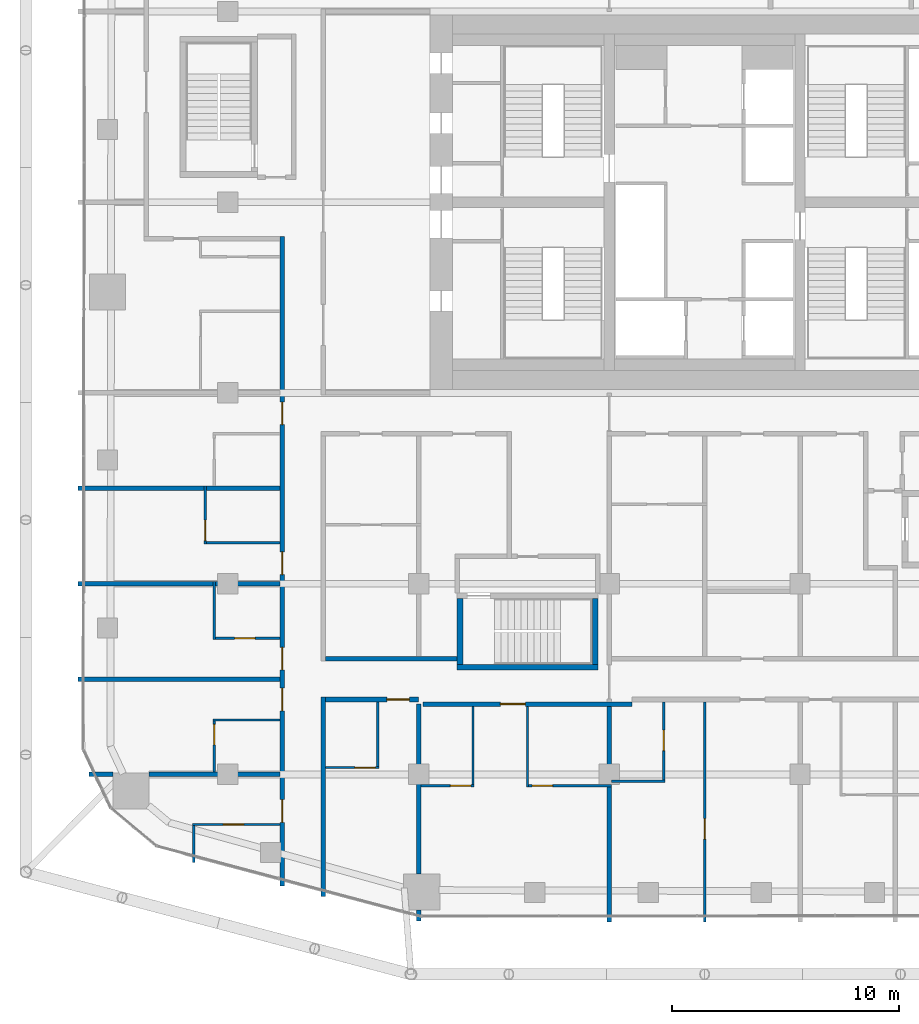
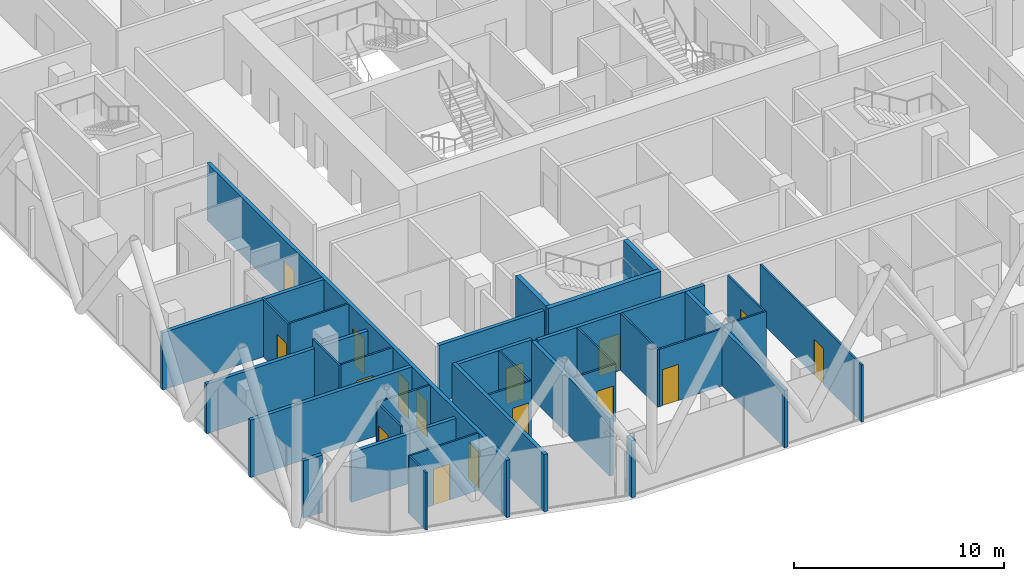
# One storey, part 24 of 33: 33 walls, 16 doors, 16 openings.
"""IFC4 building model written with IfcOpenShell, lengths in metres."""

from ifc_helpers import new_model, si_unit, direction, frame, frame_2d, origin, place, context, subcontext, project, spatial, rectangle, extrude, material, layer, layer_set, type_object, element, fill, save


model = new_model("IFC4")

# Units and contexts
model_context = context("Model", 3, precision=1e-05, world=origin(), true_north=direction((0.0, 1.0)))
body_context = subcontext(model_context, "Body", "Model", "MODEL_VIEW")
ifc_project = project(units=[si_unit("LENGTHUNIT", "METRE"), si_unit("AREAUNIT", "SQUARE_METRE"), si_unit("VOLUMEUNIT", "CUBIC_METRE"), si_unit("PLANEANGLEUNIT", "RADIAN"), si_unit("MASSUNIT", "GRAM", prefix="KILO")], contexts=[model_context])

# Site, building, storey
site_placement = place(None, origin())
site = spatial("IfcSite", under=ifc_project, at=site_placement, CompositionType="ELEMENT")
building_placement = place(site_placement, origin())
building = spatial("IfcBuilding", under=site, at=building_placement, Name="Marenta Gate Hotel Tower", CompositionType="ELEMENT")
storey_placement = place(building_placement, frame((0.0, 0.0, 151.699951171875)))
storey = spatial("IfcBuildingStorey", under=building, at=storey_placement, Name="L35", CompositionType="ELEMENT", Elevation=151.699951171875)

# Walls
ifc_material_1 = material(Name="Concrete blockwork", Category="masonry")
ifc_layer_1 = layer(ifc_material_1, 0.199951171875)
ifc_layer_set_1 = layer_set([ifc_layer_1], Name="Concrete blockwork")
wall_type_1 = type_object("IfcWallType", Name="Compartment wall 200 REI 180", PredefinedType="PARTITIONING", material=ifc_layer_set_1)
wall_1_placement = place(storey_placement, frame((-4.199951171875, -23.300048828125, 0.0), z_axis=(0.0, 0.0, 1.0), x_axis=(0.0, 1.0, 0.0)))
element("IfcWall", 1, at=wall_1_placement, inside=storey, type_object=wall_type_1, Name="L35-PTN-W073", PredefinedType="PARTITIONING", context=body_context, shape_type="SweptSolid", body=[
    extrude(rectangle(XDim=9.5, YDim=0.199951171875, at=frame_2d((4.75, 0.0))), origin(), (0.0, 0.0, 1.0), 3.340087890625),
])
ifc_material_2 = material(Name="Concrete C40", Category="concrete")
ifc_layer_2 = layer(ifc_material_2, 0.25)
ifc_layer_set_2 = layer_set([ifc_layer_2], Name="Concrete C40")
wall_type_2 = type_object("IfcWallType", Name="Remote stair enclosure wall 250 REI 180", PredefinedType="SHEAR", material=ifc_layer_set_2)
wall_2_placement = place(storey_placement, frame((-10.89990234375, -12.074951171875, 0.10009765625), z_axis=(0.0, 0.0, 1.0), x_axis=(1.0, 0.0, 0.0)))
element("IfcWall", 2, at=wall_2_placement, inside=storey, type_object=wall_type_2, Name="L35-RS-Z2-1-W1", PredefinedType="SHEAR", context=body_context, shape_type="SweptSolid", body=[
    extrude(rectangle(XDim=6.199951171875, YDim=0.25, at=frame_2d((3.10009765625, 0.0))), origin(), (0.0, 0.0, 1.0), 3.599853515625),
])
for number, where, z_axis, x_axis, name in (
    (3, (-10.77490234375, -11.949951171875, 0.10009765625), (0.0, 0.0, 1.0), (0.0, 1.0, 0.0), "L35-RS-Z2-1-W3"),
    (4, (-4.824951171875, -11.949951171875, 0.10009765625), (0.0, 0.0, 1.0), (0.0, 1.0, 0.0), "L35-RS-Z2-1-W4"),
):
    element("IfcWall", number, at=place(storey_placement, frame(where, z_axis=z_axis, x_axis=x_axis)), inside=storey, type_object=wall_type_2, Name=name, PredefinedType="SHEAR", context=body_context, shape_type="SweptSolid", body=[
        extrude(rectangle(XDim=2.89990234375, YDim=0.25, at=frame_2d((1.449951171875, 0.0))), origin(), (0.0, 0.0, 1.0), 3.599853515625),
    ])

# Wall, opening, door
ifc_material_3 = material(Name="Gypsum board on steel stud", Category="steel")
ifc_layer_3 = layer(ifc_material_3, 0.199951171875)
ifc_layer_set_3 = layer_set([ifc_layer_3], Name="Gypsum board on steel stud")
wall_type_3 = type_object("IfcWallType", Name="Room corridor wall 200 EI 60", PredefinedType="PARTITIONING", material=ifc_layer_set_3)
wall_3_placement = place(storey_placement, frame((-12.39990234375, -13.699951171875, 0.0), z_axis=(0.0, 0.0, 1.0), x_axis=(1.0, 0.0, 0.0)))
wall_3 = element("IfcWall", 5, at=wall_3_placement, inside=storey, type_object=wall_type_3, Name="L35-PTN-W024", PredefinedType="PARTITIONING", context=body_context, shape_type="SweptSolid", body=[
    extrude(rectangle(XDim=9.199951171875, YDim=0.199951171875, at=frame_2d((4.60009765625, 0.0))), origin(), (0.0, 0.0, 1.0), 3.340087890625),
])
opening_1_placement = place(wall_3_placement, frame((3.39990234375, 0.0, 0.0)))
opening_1 = element("IfcOpeningElement", 6, at=opening_1_placement, cuts=wall_3, Name="Opening G13-31", PredefinedType="OPENING", context=body_context, shape_type="SweptSolid", body=[
    extrude(rectangle(XDim=1.10009765625, YDim=2.10009765625, at=frame_2d((0.550048828125, 1.050048828125))), frame((0.0, 0.10009765625, 0.0), z_axis=(0.0, -1.0, 0.0), x_axis=(1.0, 0.0, 0.0)), (0.0, 0.0, 1.0), 0.199951171875),
])
ifc_material_4 = material(Name="Timber door leaf", Category="wood")
door_type_1 = type_object("IfcDoorType", Name="Guest room door 1100x2100 EI 30", OperationType="NOTDEFINED", PredefinedType="DOOR", material=ifc_material_4)
door_1_placement = place(opening_1_placement, origin())
door_1 = element("IfcDoor", 7, at=door_1_placement, inside=storey, type_object=door_type_1, Name="L35-PD-D031", OperationType="SINGLE_SWING_LEFT", OverallHeight=2.10009765625, OverallWidth=1.10009765625, PredefinedType="DOOR", context=body_context, shape_type="SweptSolid", body=[
    extrude(rectangle(XDim=1.10009765625, YDim=2.10009765625, at=frame_2d((0.550048828125, 1.050048828125))), frame((0.0, 0.02490234375, 0.0), z_axis=(0.0, -1.0, 0.0), x_axis=(1.0, 0.0, 0.0)), (0.0, 0.0, 1.0), 0.050048828125),
])
fill(opening_1, door_1)

wall_4_placement = place(storey_placement, frame((-16.699951171875, -13.5, 0.0), z_axis=(0.0, 0.0, 1.0), x_axis=(1.0, 0.0, 0.0)))
wall_4 = element("IfcWall", 8, at=wall_4_placement, inside=storey, type_object=wall_type_3, Name="L35-PTN-W025", PredefinedType="PARTITIONING", context=body_context, shape_type="SweptSolid", body=[
    extrude(rectangle(XDim=4.099853515625, YDim=0.199951171875, at=frame_2d((2.0498046875, 0.0))), origin(), (0.0, 0.0, 1.0), 3.340087890625),
])
opening_2_placement = place(wall_4_placement, frame((2.699951171875, 0.0, 0.0)))
opening_2 = element("IfcOpeningElement", 9, at=opening_2_placement, cuts=wall_4, Name="Opening G13-29", PredefinedType="OPENING", context=body_context, shape_type="SweptSolid", body=[
    extrude(rectangle(XDim=1.0, YDim=2.10009765625, at=frame_2d((0.5, 1.050048828125))), frame((0.0, 0.10009765625, 0.0), z_axis=(0.0, -1.0, 0.0), x_axis=(1.0, 0.0, 0.0)), (0.0, 0.0, 1.0), 0.199951171875),
])
ifc_material_5 = material(Name="Timber door leaf", Category="wood")
door_type_2 = type_object("IfcDoorType", Name="Guest room door 1000x2100 EI 30", OperationType="NOTDEFINED", PredefinedType="DOOR", material=ifc_material_5)
door_2_placement = place(opening_2_placement, origin())
door_2 = element("IfcDoor", 10, at=door_2_placement, inside=storey, type_object=door_type_2, Name="L35-PD-D029", OperationType="SINGLE_SWING_LEFT", OverallHeight=2.10009765625, OverallWidth=1.0, PredefinedType="DOOR", context=body_context, shape_type="SweptSolid", body=[
    extrude(rectangle(XDim=1.0, YDim=2.10009765625, at=frame_2d((0.5, 1.050048828125))), frame((0.0, 0.02490234375, 0.0), z_axis=(0.0, -1.0, 0.0), x_axis=(1.0, 0.0, 0.0)), (0.0, 0.0, 1.0), 0.050048828125),
])
fill(opening_2, door_2)

# Walls
wall_5_placement = place(storey_placement, frame((-16.699951171875, -11.699951171875, 0.0), z_axis=(0.0, 0.0, 1.0), x_axis=(1.0, 0.0, 0.0)))
element("IfcWall", 11, at=wall_5_placement, inside=storey, type_object=wall_type_3, Name="L35-PTN-W033", PredefinedType="PARTITIONING", context=body_context, shape_type="SweptSolid", body=[
    extrude(rectangle(XDim=5.800048828125, YDim=0.199951171875, at=frame_2d((2.89990234375, 0.0))), origin(), (0.0, 0.0, 1.0), 3.340087890625),
])
wall_6_placement = place(storey_placement, frame((-16.800048828125, -22.18603515625, 0.0), z_axis=(0.0, 0.0, 1.0), x_axis=(0.0, 1.0, 0.0)))
element("IfcWall", 12, at=wall_6_placement, inside=storey, type_object=wall_type_3, Name="L35-PTN-W094", PredefinedType="PARTITIONING", context=body_context, shape_type="SweptSolid", body=[
    extrude(rectangle(XDim=8.7861328125, YDim=0.199951171875, at=frame_2d((4.39306640625, 0.0))), origin(), (0.0, 0.0, 1.0), 3.340087890625),
])

# Wall, openings, doors
wall_7_placement = place(storey_placement, frame((-18.60009765625, -21.7080078125, 0.0), z_axis=(0.0, 0.0, 1.0), x_axis=(0.0, 1.0, 0.0)))
wall_7 = element("IfcWall", 13, at=wall_7_placement, inside=storey, type_object=wall_type_3, Name="L35-PTN-W101", PredefinedType="PARTITIONING", context=body_context, shape_type="SweptSolid", body=[
    extrude(rectangle(XDim=28.60791015625, YDim=0.199951171875, at=frame_2d((14.303955078125, 0.0))), origin(), (0.0, 0.0, 1.0), 3.340087890625),
])
opening_3_placement = place(wall_7_placement, frame((2.800048828125, 0.0, 0.0)))
opening_3 = element("IfcOpeningElement", 14, at=opening_3_placement, cuts=wall_7, Name="Opening G13-43", PredefinedType="OPENING", context=body_context, shape_type="SweptSolid", body=[
    extrude(rectangle(XDim=1.0, YDim=2.10009765625, at=frame_2d((0.5, 1.050048828125))), frame((0.0, 0.10009765625, 0.0), z_axis=(0.0, -1.0, 0.0), x_axis=(1.0, 0.0, 0.0)), (0.0, 0.0, 1.0), 0.199951171875),
])
opening_4_placement = place(wall_7_placement, frame((7.7080078125, 0.0, 0.0)))
opening_4 = element("IfcOpeningElement", 15, at=opening_4_placement, cuts=wall_7, Name="Opening G13-45", PredefinedType="OPENING", context=body_context, shape_type="SweptSolid", body=[
    extrude(rectangle(XDim=1.0, YDim=2.10009765625, at=frame_2d((0.5, 1.050048828125))), frame((0.0, 0.10009765625, 0.0), z_axis=(0.0, -1.0, 0.0), x_axis=(1.0, 0.0, 0.0)), (0.0, 0.0, 1.0), 0.199951171875),
])
opening_5_placement = place(wall_7_placement, frame((9.508056640625, 0.0, 0.0)))
opening_5 = element("IfcOpeningElement", 16, at=opening_5_placement, cuts=wall_7, Name="Opening G13-47", PredefinedType="OPENING", context=body_context, shape_type="SweptSolid", body=[
    extrude(rectangle(XDim=1.0, YDim=2.10009765625, at=frame_2d((0.5, 1.050048828125))), frame((0.0, 0.10009765625, 0.0), z_axis=(0.0, -1.0, 0.0), x_axis=(1.0, 0.0, 0.0)), (0.0, 0.0, 1.0), 0.199951171875),
])
opening_6_placement = place(wall_7_placement, frame((13.7080078125, 0.0, 0.0)))
opening_6 = element("IfcOpeningElement", 17, at=opening_6_placement, cuts=wall_7, Name="Opening G13-49", PredefinedType="OPENING", context=body_context, shape_type="SweptSolid", body=[
    extrude(rectangle(XDim=1.0, YDim=2.10009765625, at=frame_2d((0.5, 1.050048828125))), frame((0.0, 0.10009765625, 0.0), z_axis=(0.0, -1.0, 0.0), x_axis=(1.0, 0.0, 0.0)), (0.0, 0.0, 1.0), 0.199951171875),
])
opening_7_placement = place(wall_7_placement, frame((20.30810546875, 0.0, 0.0)))
opening_7 = element("IfcOpeningElement", 18, at=opening_7_placement, cuts=wall_7, Name="Opening G13-51", PredefinedType="OPENING", context=body_context, shape_type="SweptSolid", body=[
    extrude(rectangle(XDim=1.0, YDim=2.10009765625, at=frame_2d((0.5, 1.050048828125))), frame((0.0, 0.10009765625, 0.0), z_axis=(0.0, -1.0, 0.0), x_axis=(1.0, 0.0, 0.0)), (0.0, 0.0, 1.0), 0.199951171875),
])
door_3_placement = place(opening_3_placement, origin())
door_3 = element("IfcDoor", 19, at=door_3_placement, inside=storey, type_object=door_type_2, Name="L35-PD-D043", OperationType="SINGLE_SWING_LEFT", OverallHeight=2.10009765625, OverallWidth=1.0, PredefinedType="DOOR", context=body_context, shape_type="SweptSolid", body=[
    extrude(rectangle(XDim=1.0, YDim=2.10009765625, at=frame_2d((0.5, 1.050048828125))), frame((0.0, 0.02490234375, 0.0), z_axis=(0.0, -1.0, 0.0), x_axis=(1.0, 0.0, 0.0)), (0.0, 0.0, 1.0), 0.050048828125),
])
fill(opening_3, door_3)
door_4_placement = place(opening_4_placement, origin())
door_4 = element("IfcDoor", 20, at=door_4_placement, inside=storey, type_object=door_type_2, Name="L35-PD-D045", OperationType="SINGLE_SWING_RIGHT", OverallHeight=2.10009765625, OverallWidth=1.0, PredefinedType="DOOR", context=body_context, shape_type="SweptSolid", body=[
    extrude(rectangle(XDim=1.0, YDim=2.10009765625, at=frame_2d((0.5, 1.050048828125))), frame((0.0, 0.02490234375, 0.0), z_axis=(0.0, -1.0, 0.0), x_axis=(1.0, 0.0, 0.0)), (0.0, 0.0, 1.0), 0.050048828125),
])
fill(opening_4, door_4)
door_5_placement = place(opening_5_placement, origin())
door_5 = element("IfcDoor", 21, at=door_5_placement, inside=storey, type_object=door_type_2, Name="L35-PD-D047", OperationType="SINGLE_SWING_RIGHT", OverallHeight=2.10009765625, OverallWidth=1.0, PredefinedType="DOOR", context=body_context, shape_type="SweptSolid", body=[
    extrude(rectangle(XDim=1.0, YDim=2.10009765625, at=frame_2d((0.5, 1.050048828125))), frame((0.0, 0.02490234375, 0.0), z_axis=(0.0, -1.0, 0.0), x_axis=(1.0, 0.0, 0.0)), (0.0, 0.0, 1.0), 0.050048828125),
])
fill(opening_5, door_5)
door_6_placement = place(opening_6_placement, origin())
door_6 = element("IfcDoor", 22, at=door_6_placement, inside=storey, type_object=door_type_2, Name="L35-PD-D049", OperationType="SINGLE_SWING_RIGHT", OverallHeight=2.10009765625, OverallWidth=1.0, PredefinedType="DOOR", context=body_context, shape_type="SweptSolid", body=[
    extrude(rectangle(XDim=1.0, YDim=2.10009765625, at=frame_2d((0.5, 1.050048828125))), frame((0.0, 0.02490234375, 0.0), z_axis=(0.0, -1.0, 0.0), x_axis=(1.0, 0.0, 0.0)), (0.0, 0.0, 1.0), 0.050048828125),
])
fill(opening_6, door_6)
door_7_placement = place(opening_7_placement, origin())
door_7 = element("IfcDoor", 23, at=door_7_placement, inside=storey, type_object=door_type_2, Name="L35-PD-D051", OperationType="SINGLE_SWING_RIGHT", OverallHeight=2.10009765625, OverallWidth=1.0, PredefinedType="DOOR", context=body_context, shape_type="SweptSolid", body=[
    extrude(rectangle(XDim=1.0, YDim=2.10009765625, at=frame_2d((0.5, 1.050048828125))), frame((0.0, 0.02490234375, 0.0), z_axis=(0.0, -1.0, 0.0), x_axis=(1.0, 0.0, 0.0)), (0.0, 0.0, 1.0), 0.050048828125),
])
fill(opening_7, door_7)

# Wall, opening, door
ifc_material_6 = material(Name="Gypsum board on steel stud", Category="steel")
ifc_layer_4 = layer(ifc_material_6, 0.10009765625)
ifc_layer_set_4 = layer_set([ifc_layer_4], Name="Gypsum board on steel stud")
wall_type_4 = type_object("IfcWallType", Name="Room partition 100", PredefinedType="PARTITIONING", material=ifc_layer_set_4)
wall_8_placement = place(storey_placement, frame((-22.550048828125, -19.008056640625, 0.0), z_axis=(0.0, 0.0, 1.0), x_axis=(1.0, 0.0, 0.0)))
wall_8 = element("IfcWall", 24, at=wall_8_placement, inside=storey, type_object=wall_type_4, Name="L35-PTN-W007", PredefinedType="PARTITIONING", context=body_context, shape_type="SweptSolid", body=[
    extrude(rectangle(XDim=3.85009765625, YDim=0.10009765625, at=frame_2d((1.925048828125, 0.0))), origin(), (0.0, 0.0, 1.0), 3.340087890625),
])
opening_8_placement = place(wall_8_placement, frame((1.35498046875, 0.0, 0.0)))
opening_8 = element("IfcOpeningElement", 25, at=opening_8_placement, cuts=wall_8, Name="Opening G13-44", PredefinedType="OPENING", context=body_context, shape_type="SweptSolid", body=[
    extrude(rectangle(XDim=0.89990234375, YDim=2.10009765625, at=frame_2d((0.449951171875, 1.050048828125))), frame((0.0, 0.050048828125, 0.0), z_axis=(0.0, -1.0, 0.0), x_axis=(1.0, 0.0, 0.0)), (0.0, 0.0, 1.0), 0.10009765625),
])
ifc_material_7 = material(Name="Timber door leaf", Category="wood")
door_type_3 = type_object("IfcDoorType", Name="Guest bathroom door 900x2100", OperationType="NOTDEFINED", PredefinedType="DOOR", material=ifc_material_7)
door_8_placement = place(opening_8_placement, origin())
door_8 = element("IfcDoor", 26, at=door_8_placement, inside=storey, type_object=door_type_3, Name="L35-PD-D044", OperationType="SINGLE_SWING_LEFT", OverallHeight=2.10009765625, OverallWidth=0.89990234375, PredefinedType="DOOR", context=body_context, shape_type="SweptSolid", body=[
    extrude(rectangle(XDim=0.89990234375, YDim=2.10009765625, at=frame_2d((0.449951171875, 1.050048828125))), frame((0.0, 0.02490234375, 0.0), z_axis=(0.0, -1.0, 0.0), x_axis=(1.0, 0.0, 0.0)), (0.0, 0.0, 1.0), 0.050048828125),
])
fill(opening_8, door_8)

wall_9_placement = place(storey_placement, frame((-12.5, -17.300048828125, 0.0), z_axis=(0.0, 0.0, 1.0), x_axis=(1.0, 0.0, 0.0)))
wall_9 = element("IfcWall", 27, at=wall_9_placement, inside=storey, type_object=wall_type_4, Name="L35-PTN-W011", PredefinedType="PARTITIONING", context=body_context, shape_type="SweptSolid", body=[
    extrude(rectangle(XDim=2.35009765625, YDim=0.10009765625, at=frame_2d((1.175048828125, 0.0))), origin(), (0.0, 0.0, 1.0), 3.340087890625),
])
opening_9_placement = place(wall_9_placement, frame((1.300048828125, 0.0, 0.0)))
opening_9 = element("IfcOpeningElement", 28, at=opening_9_placement, cuts=wall_9, Name="Opening G13-33", PredefinedType="OPENING", context=body_context, shape_type="SweptSolid", body=[
    extrude(rectangle(XDim=0.89990234375, YDim=2.10009765625, at=frame_2d((0.449951171875, 1.050048828125))), frame((0.0, 0.050048828125, 0.0), z_axis=(0.0, -1.0, 0.0), x_axis=(1.0, 0.0, 0.0)), (0.0, 0.0, 1.0), 0.10009765625),
])
ifc_material_8 = material(Name="Timber door leaf", Category="wood")
door_type_4 = type_object("IfcDoorType", Name="Room inner door 900x2100", OperationType="NOTDEFINED", PredefinedType="DOOR", material=ifc_material_8)
door_9_placement = place(opening_9_placement, origin())
door_9 = element("IfcDoor", 29, at=door_9_placement, inside=storey, type_object=door_type_4, Name="L35-PD-D033", OperationType="SINGLE_SWING_RIGHT", OverallHeight=2.10009765625, OverallWidth=0.89990234375, PredefinedType="DOOR", context=body_context, shape_type="SweptSolid", body=[
    extrude(rectangle(XDim=0.89990234375, YDim=2.10009765625, at=frame_2d((0.449951171875, 1.050048828125))), frame((0.0, 0.02490234375, 0.0), z_axis=(0.0, -1.0, 0.0), x_axis=(1.0, 0.0, 0.0)), (0.0, 0.0, 1.0), 0.050048828125),
])
fill(opening_9, door_9)

wall_10_placement = place(storey_placement, frame((-7.75, -17.300048828125, 0.0), z_axis=(0.0, 0.0, 1.0), x_axis=(1.0, 0.0, 0.0)))
wall_10 = element("IfcWall", 30, at=wall_10_placement, inside=storey, type_object=wall_type_4, Name="L35-PTN-W012", PredefinedType="PARTITIONING", context=body_context, shape_type="SweptSolid", body=[
    extrude(rectangle(XDim=3.64990234375, YDim=0.10009765625, at=frame_2d((1.824951171875, 0.0))), origin(), (0.0, 0.0, 1.0), 3.340087890625),
])
opening_10_placement = place(wall_10_placement, frame((0.14990234375, 0.0, 0.0)))
opening_10 = element("IfcOpeningElement", 31, at=opening_10_placement, cuts=wall_10, Name="Opening G13-32", PredefinedType="OPENING", context=body_context, shape_type="SweptSolid", body=[
    extrude(rectangle(XDim=0.89990234375, YDim=2.10009765625, at=frame_2d((0.449951171875, 1.050048828125))), frame((0.0, 0.050048828125, 0.0), z_axis=(0.0, -1.0, 0.0), x_axis=(1.0, 0.0, 0.0)), (0.0, 0.0, 1.0), 0.10009765625),
])
door_10_placement = place(opening_10_placement, origin())
door_10 = element("IfcDoor", 32, at=door_10_placement, inside=storey, type_object=door_type_3, Name="L35-PD-D032", OperationType="SINGLE_SWING_LEFT", OverallHeight=2.10009765625, OverallWidth=0.89990234375, PredefinedType="DOOR", context=body_context, shape_type="SweptSolid", body=[
    extrude(rectangle(XDim=0.89990234375, YDim=2.10009765625, at=frame_2d((0.449951171875, 1.050048828125))), frame((0.0, 0.02490234375, 0.0), z_axis=(0.0, -1.0, 0.0), x_axis=(1.0, 0.0, 0.0)), (0.0, 0.0, 1.0), 0.050048828125),
])
fill(opening_10, door_10)

# Wall
wall_11_placement = place(storey_placement, frame((-4.10009765625, -17.10009765625, 0.0), z_axis=(0.0, 0.0, 1.0), x_axis=(1.0, 0.0, 0.0)))
element("IfcWall", 33, at=wall_11_placement, inside=storey, type_object=wall_type_4, Name="L35-PTN-W013", PredefinedType="PARTITIONING", context=body_context, shape_type="SweptSolid", body=[
    extrude(rectangle(XDim=2.35009765625, YDim=0.10009765625, at=frame_2d((1.175048828125, 0.0))), origin(), (0.0, 0.0, 1.0), 3.340087890625),
])

# Wall, opening, door
wall_12_placement = place(storey_placement, frame((-16.699951171875, -16.5, 0.0), z_axis=(0.0, 0.0, 1.0), x_axis=(1.0, 0.0, 0.0)))
wall_12 = element("IfcWall", 34, at=wall_12_placement, inside=storey, type_object=wall_type_4, Name="L35-PTN-W020", PredefinedType="PARTITIONING", context=body_context, shape_type="SweptSolid", body=[
    extrude(rectangle(XDim=2.349853515625, YDim=0.10009765625, at=frame_2d((1.1748046875, 0.0))), origin(), (0.0, 0.0, 1.0), 3.340087890625),
])
opening_11_placement = place(wall_12_placement, frame((1.300048828125, 0.0, 0.0)))
opening_11 = element("IfcOpeningElement", 35, at=opening_11_placement, cuts=wall_12, Name="Opening G13-30", PredefinedType="OPENING", context=body_context, shape_type="SweptSolid", body=[
    extrude(rectangle(XDim=0.89990234375, YDim=2.10009765625, at=frame_2d((0.449951171875, 1.050048828125))), frame((0.0, 0.050048828125, 0.0), z_axis=(0.0, -1.0, 0.0), x_axis=(1.0, 0.0, 0.0)), (0.0, 0.0, 1.0), 0.10009765625),
])
door_11_placement = place(opening_11_placement, origin())
door_11 = element("IfcDoor", 36, at=door_11_placement, inside=storey, type_object=door_type_3, Name="L35-PD-D030", OperationType="SINGLE_SWING_RIGHT", OverallHeight=2.10009765625, OverallWidth=0.89990234375, PredefinedType="DOOR", context=body_context, shape_type="SweptSolid", body=[
    extrude(rectangle(XDim=0.89990234375, YDim=2.10009765625, at=frame_2d((0.449951171875, 1.050048828125))), frame((0.0, 0.02490234375, 0.0), z_axis=(0.0, -1.0, 0.0), x_axis=(1.0, 0.0, 0.0)), (0.0, 0.0, 1.0), 0.050048828125),
])
fill(opening_11, door_11)

# Wall
wall_13_placement = place(storey_placement, frame((-21.64990234375, -14.39990234375, 0.0), z_axis=(0.0, 0.0, 1.0), x_axis=(1.0, 0.0, 0.0)))
element("IfcWall", 37, at=wall_13_placement, inside=storey, type_object=wall_type_4, Name="L35-PTN-W022", PredefinedType="PARTITIONING", context=body_context, shape_type="SweptSolid", body=[
    extrude(rectangle(XDim=2.949951171875, YDim=0.10009765625, at=frame_2d((1.47509765625, 0.0))), origin(), (0.0, 0.0, 1.0), 3.340087890625),
])

# Wall, opening, door
wall_14_placement = place(storey_placement, frame((-21.550048828125, -10.800048828125, 0.0), z_axis=(0.0, 0.0, 1.0), x_axis=(1.0, 0.0, 0.0)))
wall_14 = element("IfcWall", 38, at=wall_14_placement, inside=storey, type_object=wall_type_4, Name="L35-PTN-W036", PredefinedType="PARTITIONING", context=body_context, shape_type="SweptSolid", body=[
    extrude(rectangle(XDim=2.85009765625, YDim=0.10009765625, at=frame_2d((1.425048828125, 0.0))), origin(), (0.0, 0.0, 1.0), 3.340087890625),
])
opening_12_placement = place(wall_14_placement, frame((0.85009765625, 0.0, 0.0)))
opening_12 = element("IfcOpeningElement", 39, at=opening_12_placement, cuts=wall_14, Name="Opening G13-48", PredefinedType="OPENING", context=body_context, shape_type="SweptSolid", body=[
    extrude(rectangle(XDim=0.89990234375, YDim=2.10009765625, at=frame_2d((0.449951171875, 1.050048828125))), frame((0.0, 0.050048828125, 0.0), z_axis=(0.0, -1.0, 0.0), x_axis=(1.0, 0.0, 0.0)), (0.0, 0.0, 1.0), 0.10009765625),
])
door_12_placement = place(opening_12_placement, origin())
door_12 = element("IfcDoor", 40, at=door_12_placement, inside=storey, type_object=door_type_3, Name="L35-PD-D048", OperationType="SINGLE_SWING_LEFT", OverallHeight=2.10009765625, OverallWidth=0.89990234375, PredefinedType="DOOR", context=body_context, shape_type="SweptSolid", body=[
    extrude(rectangle(XDim=0.89990234375, YDim=2.10009765625, at=frame_2d((0.449951171875, 1.050048828125))), frame((0.0, 0.02490234375, 0.0), z_axis=(0.0, -1.0, 0.0), x_axis=(1.0, 0.0, 0.0)), (0.0, 0.0, 1.0), 0.050048828125),
])
fill(opening_12, door_12)

# Wall
wall_15_placement = place(storey_placement, frame((-21.949951171875, -6.60009765625, 0.0), z_axis=(0.0, 0.0, 1.0), x_axis=(1.0, 0.0, 0.0)))
element("IfcWall", 41, at=wall_15_placement, inside=storey, type_object=wall_type_4, Name="L35-PTN-W051", PredefinedType="PARTITIONING", context=body_context, shape_type="SweptSolid", body=[
    extrude(rectangle(XDim=3.25, YDim=0.10009765625, at=frame_2d((1.625, 0.0))), origin(), (0.0, 0.0, 1.0), 3.340087890625),
])

# Wall, opening, door
wall_16_placement = place(storey_placement, frame((0.0, -23.300048828125, 0.0), z_axis=(0.0, 0.0, 1.0), x_axis=(0.0, 1.0, 0.0)))
wall_16 = element("IfcWall", 42, at=wall_16_placement, inside=storey, type_object=wall_type_4, Name="L35-PTN-W066", PredefinedType="PARTITIONING", context=body_context, shape_type="SweptSolid", body=[
    extrude(rectangle(XDim=9.699951171875, YDim=0.10009765625, at=frame_2d((4.85009765625, 0.0))), origin(), (0.0, 0.0, 1.0), 3.340087890625),
])
opening_13_placement = place(wall_16_placement, frame((3.64990234375, 0.0, 0.0)))
opening_13 = element("IfcOpeningElement", 43, at=opening_13_placement, cuts=wall_16, Name="Opening G13-35", PredefinedType="OPENING", context=body_context, shape_type="SweptSolid", body=[
    extrude(rectangle(XDim=0.89990234375, YDim=2.10009765625, at=frame_2d((0.449951171875, 1.050048828125))), frame((0.0, 0.050048828125, 0.0), z_axis=(0.0, -1.0, 0.0), x_axis=(1.0, 0.0, 0.0)), (0.0, 0.0, 1.0), 0.10009765625),
])
door_13_placement = place(opening_13_placement, origin())
door_13 = element("IfcDoor", 44, at=door_13_placement, inside=storey, type_object=door_type_4, Name="L35-PD-D035", OperationType="SINGLE_SWING_RIGHT", OverallHeight=2.10009765625, OverallWidth=0.89990234375, PredefinedType="DOOR", context=body_context, shape_type="SweptSolid", body=[
    extrude(rectangle(XDim=0.89990234375, YDim=2.10009765625, at=frame_2d((0.449951171875, 1.050048828125))), frame((0.0, 0.02490234375, 0.0), z_axis=(0.0, -1.0, 0.0), x_axis=(1.0, 0.0, 0.0)), (0.0, 0.0, 1.0), 0.050048828125),
])
fill(opening_13, door_13)

wall_17_placement = place(storey_placement, frame((-1.800048828125, -17.050048828125, 0.0), z_axis=(0.0, 0.0, 1.0), x_axis=(0.0, 1.0, 0.0)))
wall_17 = element("IfcWall", 45, at=wall_17_placement, inside=storey, type_object=wall_type_4, Name="L35-PTN-W070", PredefinedType="PARTITIONING", context=body_context, shape_type="SweptSolid", body=[
    extrude(rectangle(XDim=3.449951171875, YDim=0.10009765625, at=frame_2d((1.72509765625, 0.0))), origin(), (0.0, 0.0, 1.0), 3.340087890625),
])
opening_14_placement = place(wall_17_placement, frame((1.300048828125, 0.0, 0.0)))
opening_14 = element("IfcOpeningElement", 46, at=opening_14_placement, cuts=wall_17, Name="Opening G13-36", PredefinedType="OPENING", context=body_context, shape_type="SweptSolid", body=[
    extrude(rectangle(XDim=0.89990234375, YDim=2.10009765625, at=frame_2d((0.449951171875, 1.050048828125))), frame((0.0, 0.050048828125, 0.0), z_axis=(0.0, -1.0, 0.0), x_axis=(1.0, 0.0, 0.0)), (0.0, 0.0, 1.0), 0.10009765625),
])
door_14_placement = place(opening_14_placement, origin())
door_14 = element("IfcDoor", 47, at=door_14_placement, inside=storey, type_object=door_type_3, Name="L35-PD-D036", OperationType="SINGLE_SWING_LEFT", OverallHeight=2.10009765625, OverallWidth=0.89990234375, PredefinedType="DOOR", context=body_context, shape_type="SweptSolid", body=[
    extrude(rectangle(XDim=0.89990234375, YDim=2.10009765625, at=frame_2d((0.449951171875, 1.050048828125))), frame((0.0, 0.02490234375, 0.0), z_axis=(0.0, -1.0, 0.0), x_axis=(1.0, 0.0, 0.0)), (0.0, 0.0, 1.0), 0.050048828125),
])
fill(opening_14, door_14)

# Walls
wall_18_placement = place(storey_placement, frame((-7.800048828125, -17.35009765625, 0.0), z_axis=(0.0, 0.0, 1.0), x_axis=(0.0, 1.0, 0.0)))
element("IfcWall", 48, at=wall_18_placement, inside=storey, type_object=wall_type_4, Name="L35-PTN-W081", PredefinedType="PARTITIONING", context=body_context, shape_type="SweptSolid", body=[
    extrude(rectangle(XDim=3.550048828125, YDim=0.10009765625, at=frame_2d((1.77490234375, 0.0))), origin(), (0.0, 0.0, 1.0), 3.340087890625),
])
wall_19_placement = place(storey_placement, frame((-10.199951171875, -17.25, 0.0), z_axis=(0.0, 0.0, 1.0), x_axis=(0.0, 1.0, 0.0)))
element("IfcWall", 49, at=wall_19_placement, inside=storey, type_object=wall_type_4, Name="L35-PTN-W086", PredefinedType="PARTITIONING", context=body_context, shape_type="SweptSolid", body=[
    extrude(rectangle(XDim=3.449951171875, YDim=0.10009765625, at=frame_2d((1.72509765625, 0.0))), origin(), (0.0, 0.0, 1.0), 3.340087890625),
])
wall_20_placement = place(storey_placement, frame((-14.39990234375, -16.449951171875, 0.0), z_axis=(0.0, 0.0, 1.0), x_axis=(0.0, 1.0, 0.0)))
element("IfcWall", 50, at=wall_20_placement, inside=storey, type_object=wall_type_4, Name="L35-PTN-W091", PredefinedType="PARTITIONING", context=body_context, shape_type="SweptSolid", body=[
    extrude(rectangle(XDim=2.849853515625, YDim=0.10009765625, at=frame_2d((1.4248046875, 0.0))), origin(), (0.0, 0.0, 1.0), 3.340087890625),
])

# Wall, opening, door
wall_21_placement = place(storey_placement, frame((-21.60009765625, -16.699951171875, 0.0), z_axis=(0.0, 0.0, 1.0), x_axis=(0.0, 1.0, 0.0)))
wall_21 = element("IfcWall", 51, at=wall_21_placement, inside=storey, type_object=wall_type_4, Name="L35-PTN-W107", PredefinedType="PARTITIONING", context=body_context, shape_type="SweptSolid", body=[
    extrude(rectangle(XDim=2.25, YDim=0.10009765625, at=frame_2d((1.125, 0.0))), origin(), (0.0, 0.0, 1.0), 3.340087890625),
])
opening_15_placement = place(wall_21_placement, frame((1.199951171875, 0.0, 0.0)))
opening_15 = element("IfcOpeningElement", 52, at=opening_15_placement, cuts=wall_21, Name="Opening G13-46", PredefinedType="OPENING", context=body_context, shape_type="SweptSolid", body=[
    extrude(rectangle(XDim=0.89990234375, YDim=2.10009765625, at=frame_2d((0.449951171875, 1.050048828125))), frame((0.0, 0.050048828125, 0.0), z_axis=(0.0, -1.0, 0.0), x_axis=(1.0, 0.0, 0.0)), (0.0, 0.0, 1.0), 0.10009765625),
])
door_15_placement = place(opening_15_placement, origin())
door_15 = element("IfcDoor", 53, at=door_15_placement, inside=storey, type_object=door_type_3, Name="L35-PD-D046", OperationType="SINGLE_SWING_LEFT", OverallHeight=2.10009765625, OverallWidth=0.89990234375, PredefinedType="DOOR", context=body_context, shape_type="SweptSolid", body=[
    extrude(rectangle(XDim=0.89990234375, YDim=2.10009765625, at=frame_2d((0.449951171875, 1.050048828125))), frame((0.0, 0.02490234375, 0.0), z_axis=(0.0, -1.0, 0.0), x_axis=(1.0, 0.0, 0.0)), (0.0, 0.0, 1.0), 0.050048828125),
])
fill(opening_15, door_15)

# Wall
wall_22_placement = place(storey_placement, frame((-21.60009765625, -10.85009765625, 0.0), z_axis=(0.0, 0.0, 1.0), x_axis=(0.0, 1.0, 0.0)))
element("IfcWall", 54, at=wall_22_placement, inside=storey, type_object=wall_type_4, Name="L35-PTN-W108", PredefinedType="PARTITIONING", context=body_context, shape_type="SweptSolid", body=[
    extrude(rectangle(XDim=2.550048828125, YDim=0.10009765625, at=frame_2d((1.27490234375, 0.0))), origin(), (0.0, 0.0, 1.0), 3.340087890625),
])

# Wall, opening, door
wall_23_placement = place(storey_placement, frame((-22.0, -6.64990234375, 0.0), z_axis=(0.0, 0.0, 1.0), x_axis=(0.0, 1.0, 0.0)))
wall_23 = element("IfcWall", 55, at=wall_23_placement, inside=storey, type_object=wall_type_4, Name="L35-PTN-W110", PredefinedType="PARTITIONING", context=body_context, shape_type="SweptSolid", body=[
    extrude(rectangle(XDim=2.5498046875, YDim=0.10009765625, at=frame_2d((1.27490234375, 0.0))), origin(), (0.0, 0.0, 1.0), 3.340087890625),
])
opening_16_placement = place(wall_23_placement, frame((0.14990234375, 0.0, 0.0)))
opening_16 = element("IfcOpeningElement", 56, at=opening_16_placement, cuts=wall_23, Name="Opening G13-50", PredefinedType="OPENING", context=body_context, shape_type="SweptSolid", body=[
    extrude(rectangle(XDim=0.89990234375, YDim=2.10009765625, at=frame_2d((0.449951171875, 1.050048828125))), frame((0.0, 0.050048828125, 0.0), z_axis=(0.0, -1.0, 0.0), x_axis=(1.0, 0.0, 0.0)), (0.0, 0.0, 1.0), 0.10009765625),
])
door_16_placement = place(opening_16_placement, origin())
door_16 = element("IfcDoor", 57, at=door_16_placement, inside=storey, type_object=door_type_3, Name="L35-PD-D050", OperationType="SINGLE_SWING_RIGHT", OverallHeight=2.10009765625, OverallWidth=0.89990234375, PredefinedType="DOOR", context=body_context, shape_type="SweptSolid", body=[
    extrude(rectangle(XDim=0.89990234375, YDim=2.10009765625, at=frame_2d((0.449951171875, 1.050048828125))), frame((0.0, 0.02490234375, 0.0), z_axis=(0.0, -1.0, 0.0), x_axis=(1.0, 0.0, 0.0)), (0.0, 0.0, 1.0), 0.050048828125),
])
fill(opening_16, door_16)

# Walls
wall_24_placement = place(storey_placement, frame((-22.5, -20.674072265625, 0.0), z_axis=(0.0, 0.0, 1.0), x_axis=(0.0, 1.0, 0.0)))
element("IfcWall", 58, at=wall_24_placement, inside=storey, type_object=wall_type_4, Name="L35-PTN-W115", PredefinedType="PARTITIONING", context=body_context, shape_type="SweptSolid", body=[
    extrude(rectangle(XDim=1.615966796875, YDim=0.10009765625, at=frame_2d((0.80810546875, 0.0))), origin(), (0.0, 0.0, 1.0), 3.340087890625),
])
ifc_material_9 = material(Name="Gypsum board on steel stud", Category="steel")
ifc_layer_5 = layer(ifc_material_9, 0.199951171875)
ifc_layer_set_5 = layer_set([ifc_layer_5], Name="Gypsum board on steel stud")
wall_type_5 = type_object("IfcWallType", Name="Room party wall 200 EI 60", PredefinedType="PARTITIONING", material=ifc_layer_set_5)
wall_25_placement = place(storey_placement, frame((-27.112060546875, -16.800048828125, 0.0), z_axis=(0.0, 0.0, 1.0), x_axis=(1.0, 0.0, 0.0)))
element("IfcWall", 59, at=wall_25_placement, inside=storey, type_object=wall_type_5, Name="L35-PTN-W018", PredefinedType="PARTITIONING", context=body_context, shape_type="SweptSolid", body=[
    extrude(rectangle(XDim=1.049072265625, YDim=0.199951171875, at=frame_2d((0.5244140625, 0.0))), origin(), (0.0, 0.0, 1.0), 3.340087890625),
])
wall_26_placement = place(storey_placement, frame((-24.462890625, -16.800048828125, 0.0), z_axis=(0.0, 0.0, 1.0), x_axis=(1.0, 0.0, 0.0)))
element("IfcWall", 60, at=wall_26_placement, inside=storey, type_object=wall_type_5, Name="L35-PTN-W120", PredefinedType="PARTITIONING", context=body_context, shape_type="SweptSolid", body=[
    extrude(rectangle(XDim=5.762939453125, YDim=0.199951171875, at=frame_2d((2.88134765625, 0.0))), origin(), (0.0, 0.0, 1.0), 2.89013671875),
])
wall_27_placement = place(storey_placement, frame((-27.60009765625, -12.60009765625, 0.0), z_axis=(0.0, 0.0, 1.0), x_axis=(1.0, 0.0, 0.0)))
element("IfcWall", 61, at=wall_27_placement, inside=storey, type_object=wall_type_5, Name="L35-PTN-W031", PredefinedType="PARTITIONING", context=body_context, shape_type="SweptSolid", body=[
    extrude(rectangle(XDim=8.900146484375, YDim=0.199951171875, at=frame_2d((4.4501953125, 0.0))), origin(), (0.0, 0.0, 1.0), 3.340087890625),
])
wall_28_placement = place(storey_placement, frame((-27.60009765625, -8.39990234375, 0.0), z_axis=(0.0, 0.0, 1.0), x_axis=(1.0, 0.0, 0.0)))
element("IfcWall", 62, at=wall_28_placement, inside=storey, type_object=wall_type_5, Name="L35-PTN-W044", PredefinedType="PARTITIONING", context=body_context, shape_type="SweptSolid", body=[
    extrude(rectangle(XDim=8.900146484375, YDim=0.199951171875, at=frame_2d((4.4501953125, 0.0))), origin(), (0.0, 0.0, 1.0), 2.89013671875),
])
wall_29_placement = place(storey_placement, frame((-27.60009765625, -4.199951171875, 0.0), z_axis=(0.0, 0.0, 1.0), x_axis=(1.0, 0.0, 0.0)))
element("IfcWall", 63, at=wall_29_placement, inside=storey, type_object=wall_type_5, Name="L35-PTN-W059", PredefinedType="PARTITIONING", context=body_context, shape_type="SweptSolid", body=[
    extrude(rectangle(XDim=8.900146484375, YDim=0.199951171875, at=frame_2d((4.4501953125, 0.0))), origin(), (0.0, 0.0, 1.0), 3.340087890625),
])
wall_30_placement = place(storey_placement, frame((-12.60009765625, -23.26611328125, 0.0), z_axis=(0.0, 0.0, 1.0), x_axis=(0.0, 1.0, 0.0)))
element("IfcWall", 64, at=wall_30_placement, inside=storey, type_object=wall_type_5, Name="L35-PTN-W088", PredefinedType="PARTITIONING", context=body_context, shape_type="SweptSolid", body=[
    extrude(rectangle(XDim=0.4912109375, YDim=0.199951171875, at=frame_2d((0.24560546875, 0.0))), origin(), (0.0, 0.0, 1.0), 3.340087890625),
])
wall_31_placement = place(storey_placement, frame((-12.60009765625, -21.175048828125, 0.0), z_axis=(0.0, 0.0, 1.0), x_axis=(0.0, 1.0, 0.0)))
element("IfcWall", 65, at=wall_31_placement, inside=storey, type_object=wall_type_5, Name="L35-PTN-W124", PredefinedType="PARTITIONING", context=body_context, shape_type="SweptSolid", body=[
    extrude(rectangle(XDim=7.47509765625, YDim=0.199951171875, at=frame_2d((3.737548828125, 0.0))), origin(), (0.0, 0.0, 1.0), 3.340087890625),
])

save(model, "model.ifc")
